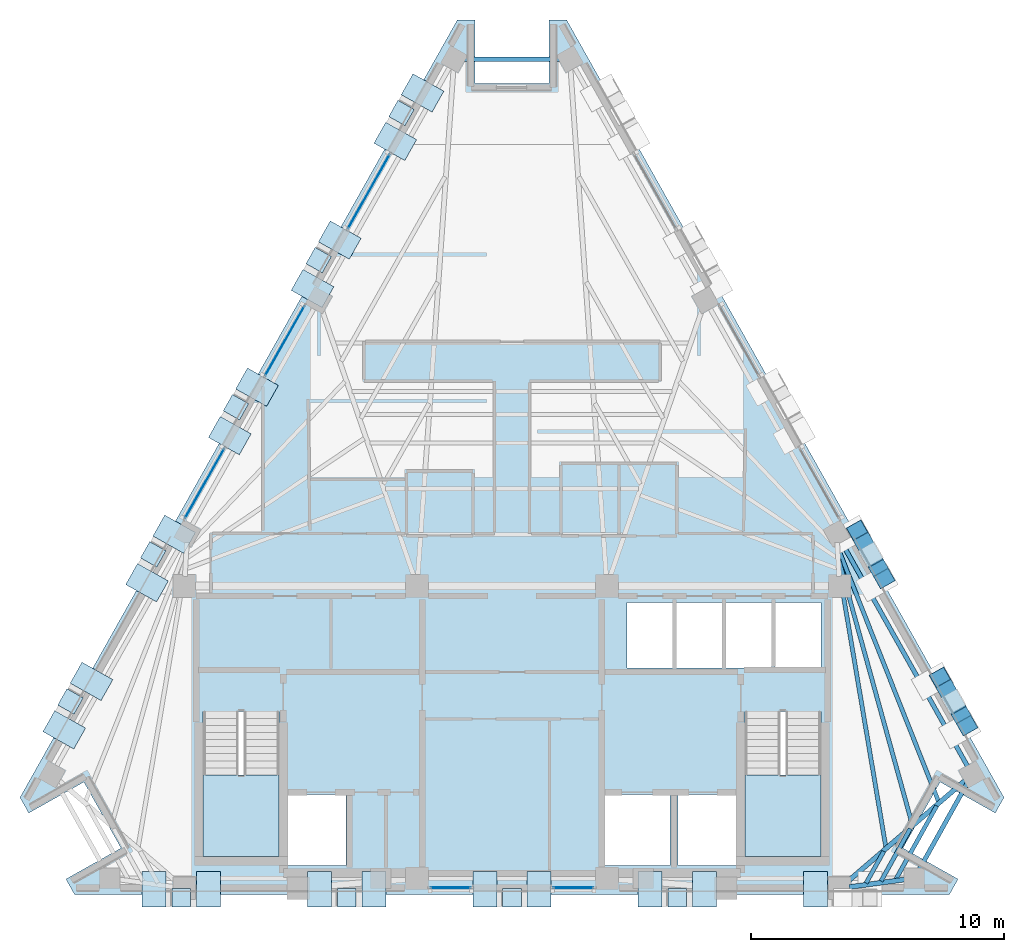
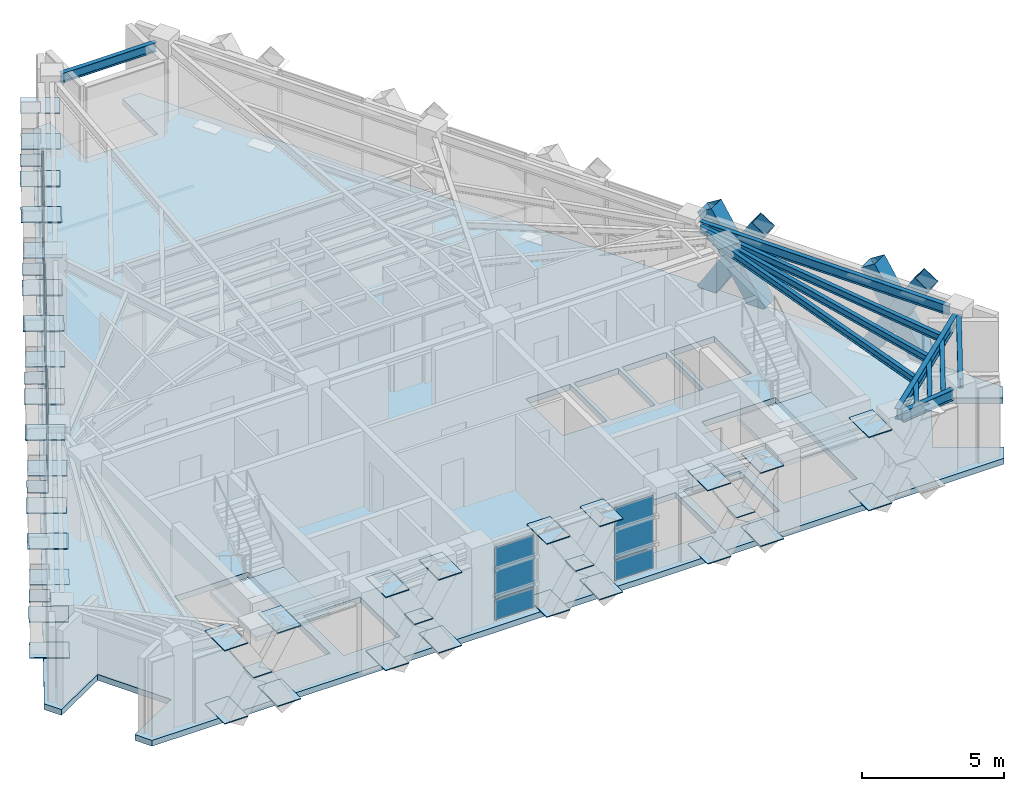
# One storey, part 5 of 11: 57 plates, 11 beams, 6 members, 3 slabs, 7 elements without a shape of their own.
"""IFC4 building model written with IfcOpenShell, lengths in metres."""

from ifc_helpers import new_model, si_unit, direction, frame, origin, origin_2d, place, context, subcontext, project, spatial, polyline, rectangle, hollow_rectangle, i_section, outline, extrude, material, layer, layer_set, material_profile, profile_set, type_object, element, aggregate, save


model = new_model("IFC4")

# Units and contexts
model_context = context("Model", 3, precision=1e-05, world=origin(), true_north=direction((0.0, 1.0)))
body_context = subcontext(model_context, "Body", "Model", "MODEL_VIEW")
ifc_project = project(units=[si_unit("LENGTHUNIT", "METRE"), si_unit("AREAUNIT", "SQUARE_METRE"), si_unit("VOLUMEUNIT", "CUBIC_METRE"), si_unit("PLANEANGLEUNIT", "RADIAN"), si_unit("MASSUNIT", "GRAM", prefix="KILO")], contexts=[model_context])

# Site, building, storey
site_placement = place(None, origin())
site = spatial("IfcSite", under=ifc_project, at=site_placement, CompositionType="ELEMENT")
building_placement = place(site_placement, origin())
building = spatial("IfcBuilding", under=site, at=building_placement, Name="Quenlor Broadcast Tower", CompositionType="ELEMENT")
storey_placement = place(building_placement, frame((0.0, 0.0, 253.39990234375)))
storey = spatial("IfcBuildingStorey", under=building, at=storey_placement, Name="L70", CompositionType="ELEMENT", Elevation=253.39990234375)

# Members
ifc_material_1 = material(Name="Steel S355", Category="steel")
ifc_material_profile_1 = material_profile(ifc_material_1, hollow_rectangle(XDim=0.679931640625, YDim=0.679931640625, WallThickness=0.02001953125, at=origin_2d()))
ifc_profile_set_1 = profile_set([ifc_material_profile_1], Name="Steel S355 RHS680x680x20")
member_type = type_object("IfcMemberType", Name="Perimeter Diagonal Lattice Brace Z5-Crown Steel S355 RHS680x20", PredefinedType="BRACE", material=ifc_profile_set_1)
member_1_placement = place(storey_placement, frame((13.635986328125, -2.5966796875, -0.119873046875), z_axis=(0.260563732169, -0.463283497491, 0.847038926161), x_axis=(0.871602253711, 0.49021374045, 0.0)))
element("IfcMember", 1, at=member_1_placement, inside=storey, type_object=member_type, Name="L70 Perimeter Diamond Lattice NE-C4XA", PredefinedType="BRACE", context=body_context, shape_type="SweptSolid", body=[
    extrude(hollow_rectangle(XDim=0.679931640625, YDim=0.679931640625, WallThickness=0.02001953125, at=origin_2d()), origin(), (0.0, 0.0, 1.0), 4.132080078125),
])
member_2_placement = place(storey_placement, frame((14.712646484375, -4.510986328125, -0.119873046875), z_axis=(-0.260577404715, 0.463203900539, 0.847078250622), x_axis=(-0.871555267041, -0.490297273593, 0.0)))
element("IfcMember", 2, at=member_2_placement, inside=storey, type_object=member_type, Name="L70 Perimeter Diamond Lattice NE-C4XB1", PredefinedType="BRACE", context=body_context, shape_type="SweptSolid", body=[
    extrude(hollow_rectangle(XDim=0.679931640625, YDim=0.679931640625, WallThickness=0.02001953125, at=origin_2d()), origin(), (0.0, 0.0, 1.0), 1.815673828125),
])
member_3_placement = place(storey_placement, frame((14.109130859375, -3.43798828125, 1.841796875), z_axis=(-0.260531504538, 0.463256741299, 0.847063472701), x_axis=(-0.871616063886, -0.490189185087, 0.0)))
element("IfcMember", 3, at=member_3_placement, inside=storey, type_object=member_type, Name="L70 Perimeter Diamond Lattice NE-C4XB2", PredefinedType="BRACE", context=body_context, shape_type="SweptSolid", body=[
    extrude(hollow_rectangle(XDim=0.679931640625, YDim=0.679931640625, WallThickness=0.02001953125, at=origin_2d()), origin(), (0.0, 0.0, 1.0), 1.816162109375),
])
member_4_placement = place(storey_placement, frame((16.905517578125, -8.40966796875, -0.119873046875), z_axis=(0.260618804175, -0.463276364439, 0.847025884529), x_axis=(0.8715547569, 0.490298180422, 0.0)))
element("IfcMember", 4, at=member_4_placement, inside=storey, type_object=member_type, Name="L70 Perimeter Diamond Lattice NE-C5XA", PredefinedType="BRACE", context=body_context, shape_type="SweptSolid", body=[
    extrude(hollow_rectangle(XDim=0.679931640625, YDim=0.679931640625, WallThickness=0.02001953125, at=origin_2d()), origin(), (0.0, 0.0, 1.0), 4.132080078125),
])
member_5_placement = place(storey_placement, frame((17.982421875, -10.323974609375, -0.119873046875), z_axis=(-0.26068648878, 0.463293264743, 0.846995811921), x_axis=(-0.871507987664, -0.490381308207, 0.0)))
element("IfcMember", 5, at=member_5_placement, inside=storey, type_object=member_type, Name="L70 Perimeter Diamond Lattice NE-C5XB1", PredefinedType="BRACE", context=body_context, shape_type="SweptSolid", body=[
    extrude(hollow_rectangle(XDim=0.679931640625, YDim=0.679931640625, WallThickness=0.02001953125, at=origin_2d()), origin(), (0.0, 0.0, 1.0), 1.81591796875),
])
member_6_placement = place(storey_placement, frame((17.37890625, -9.2509765625, 1.841796875), z_axis=(-0.260656806259, 0.463240512825, 0.847033798988), x_axis=(-0.871507987664, -0.490381308207, 0.0)))
element("IfcMember", 6, at=member_6_placement, inside=storey, type_object=member_type, Name="L70 Perimeter Diamond Lattice NE-C5XB2", PredefinedType="BRACE", context=body_context, shape_type="SweptSolid", body=[
    extrude(hollow_rectangle(XDim=0.679931640625, YDim=0.679931640625, WallThickness=0.02001953125, at=origin_2d()), origin(), (0.0, 0.0, 1.0), 1.816162109375),
])

# Beams
ifc_material_2 = material(Name="Steel S355", Category="steel")
ifc_material_profile_2 = material_profile(ifc_material_2, i_section(OverallWidth=0.177978515625, OverallDepth=0.406494140625, WebThickness=0.0078125, FlangeThickness=0.0126953125, FilletRadius=0.011474609375, at=origin_2d()))
ifc_profile_set_2 = profile_set([ifc_material_profile_2], Name="Steel S355 410UB59.7")
beam_type_1 = type_object("IfcBeamType", Name="Perimeter Spandrel Beam Z5 Steel S355 410UB59.7", PredefinedType="SPANDREL", material=ifc_profile_set_2)
beam_1_placement = place(storey_placement, frame((16.07275390625, -16.035400390625, 3.046875), z_axis=(0.486800618374, 0.873513112638, 0.0), x_axis=(-0.873513112638, 0.486800618374, 0.0)))
element("IfcBeam", 7, at=beam_1_placement, inside=storey, type_object=beam_type_1, Name="L70 Spandrel Beam S4-NE1", PredefinedType="SPANDREL", context=body_context, shape_type="SweptSolid", body=[
    extrude(i_section(OverallWidth=0.177978515625, OverallDepth=0.406494140625, WebThickness=0.0078125, FlangeThickness=0.0126953125, FilletRadius=0.011474609375, at=origin_2d()), origin(), (0.0, 0.0, 1.0), 3.9736328125),
])
beam_2_placement = place(storey_placement, frame((18.005859375, -11.93603515625, 3.046875), z_axis=(-0.490274867878, 0.871567871096, 0.0), x_axis=(-0.871567871096, -0.490274867878, 0.0)))
element("IfcBeam", 8, at=beam_2_placement, inside=storey, type_object=beam_type_1, Name="L70 Spandrel Beam NE1-NE2", PredefinedType="SPANDREL", context=body_context, shape_type="SweptSolid", body=[
    extrude(i_section(OverallWidth=0.177978515625, OverallDepth=0.406494140625, WebThickness=0.0078125, FlangeThickness=0.0126953125, FilletRadius=0.011474609375, at=origin_2d()), origin(), (0.0, 0.0, 1.0), 10.206298828125),
])
beam_3_placement = place(storey_placement, frame((1.9248046875, 16.012451171875, 3.046875), z_axis=(-1.0, 0.0, 0.0), x_axis=(0.0, -1.0, 0.0)))
element("IfcBeam", 9, at=beam_3_placement, inside=storey, type_object=beam_type_1, Name="L70 Spandrel Beam NE4-NW1", PredefinedType="SPANDREL", context=body_context, shape_type="SweptSolid", body=[
    extrude(i_section(OverallWidth=0.177978515625, OverallDepth=0.406494140625, WebThickness=0.0078125, FlangeThickness=0.0126953125, FilletRadius=0.011474609375, at=origin_2d()), origin(), (0.0, 0.0, 1.0), 3.849609375),
])
ifc_material_3 = material(Name="Steel S355", Category="steel")
ifc_material_profile_3 = material_profile(ifc_material_3, i_section(OverallWidth=0.166015625, OverallDepth=0.30712890625, WebThickness=0.006591796875, FlangeThickness=0.01171875, FilletRadius=0.011474609375, at=origin_2d()))
ifc_profile_set_3 = profile_set([ifc_material_profile_3], Name="Steel S355 310UB46.2")
beam_type_2 = type_object("IfcBeamType", Name="Tower Composite Joist Z4-Z5 Steel S355 310UB46.2", PredefinedType="JOIST", material=ifc_profile_set_3)
beam_4_placement = place(storey_placement, frame((14.76806640625, -15.09619140625, 3.096435546875), z_axis=(-0.166553293246, 0.986032454085, 0.0), x_axis=(-0.986032454085, -0.166553293246, 0.0)))
element("IfcBeam", 10, at=beam_4_placement, inside=storey, type_object=beam_type_2, Name="L70 Secondary Composite Joist 16", PredefinedType="JOIST", context=body_context, shape_type="SweptSolid", body=[
    extrude(i_section(OverallWidth=0.166015625, OverallDepth=0.30712890625, WebThickness=0.006591796875, FlangeThickness=0.01171875, FilletRadius=0.011474609375, at=origin_2d()), origin(), (0.0, 0.0, 1.0), 11.097900390625),
])
beam_5_placement = place(storey_placement, frame((15.806396484375, -14.197998046875, 3.096435546875), z_axis=(-0.26744552871, 0.96357298072, 0.0), x_axis=(-0.96357298072, -0.26744552871, 0.0)))
element("IfcBeam", 11, at=beam_5_placement, inside=storey, type_object=beam_type_2, Name="L70 Secondary Composite Joist 17", PredefinedType="JOIST", context=body_context, shape_type="SweptSolid", body=[
    extrude(i_section(OverallWidth=0.166015625, OverallDepth=0.30712890625, WebThickness=0.006591796875, FlangeThickness=0.01171875, FilletRadius=0.011474609375, at=origin_2d()), origin(), (0.0, 0.0, 1.0), 10.856689453125),
])
beam_6_placement = place(storey_placement, frame((16.8447265625, -13.300537109375, 3.096435546875), z_axis=(-0.368680258049, 0.929556274426, 0.0), x_axis=(-0.929556274426, -0.368680258049, 0.0)))
element("IfcBeam", 12, at=beam_6_placement, inside=storey, type_object=beam_type_2, Name="L70 Secondary Composite Joist 18", PredefinedType="JOIST", context=body_context, shape_type="SweptSolid", body=[
    extrude(i_section(OverallWidth=0.166015625, OverallDepth=0.30712890625, WebThickness=0.006591796875, FlangeThickness=0.01171875, FilletRadius=0.011474609375, at=origin_2d()), origin(), (0.0, 0.0, 1.0), 10.737548828125),
])
beam_7_placement = place(storey_placement, frame((13.9912109375, -16.544189453125, 3.096435546875), z_axis=(0.486624304452, 0.873611347406, 0.0), x_axis=(-0.873611347406, 0.486624304452, 0.0)))
element("IfcBeam", 13, at=beam_7_placement, inside=storey, type_object=beam_type_2, Name="L70 Secondary Composite Joist 22", PredefinedType="JOIST", context=body_context, shape_type="SweptSolid", body=[
    extrude(i_section(OverallWidth=0.166015625, OverallDepth=0.30712890625, WebThickness=0.006591796875, FlangeThickness=0.01171875, FilletRadius=0.011474609375, at=origin_2d()), origin(), (0.0, 0.0, 1.0), 1.435791015625),
])
beam_8_placement = place(storey_placement, frame((14.58056640625, -16.464111328125, 3.096435546875), z_axis=(0.486820963037, 0.873501774439, 0.0), x_axis=(-0.873501774439, 0.486820963037, 0.0)))
element("IfcBeam", 14, at=beam_8_placement, inside=storey, type_object=beam_type_2, Name="L70 Secondary Composite Joist 23", PredefinedType="JOIST", context=body_context, shape_type="SweptSolid", body=[
    extrude(i_section(OverallWidth=0.166015625, OverallDepth=0.30712890625, WebThickness=0.006591796875, FlangeThickness=0.01171875, FilletRadius=0.011474609375, at=origin_2d()), origin(), (0.0, 0.0, 1.0), 2.37451171875),
])
beam_9_placement = place(storey_placement, frame((15.170166015625, -16.384033203125, 3.096435546875), z_axis=(0.486762404011, 0.873534408046, 0.0), x_axis=(-0.873534408046, 0.486762404011, 0.0)))
element("IfcBeam", 15, at=beam_9_placement, inside=storey, type_object=beam_type_2, Name="L70 Secondary Composite Joist 24", PredefinedType="JOIST", context=body_context, shape_type="SweptSolid", body=[
    extrude(i_section(OverallWidth=0.166015625, OverallDepth=0.30712890625, WebThickness=0.006591796875, FlangeThickness=0.01171875, FilletRadius=0.011474609375, at=origin_2d()), origin(), (0.0, 0.0, 1.0), 3.313232421875),
])
ifc_material_4 = material(Name="Steel S355", Category="steel")
ifc_material_profile_4 = material_profile(ifc_material_4, i_section(OverallWidth=0.19091796875, OverallDepth=0.46044921875, WebThickness=0.010009765625, FlangeThickness=0.01611328125, FilletRadius=0.011474609375, at=origin_2d()))
ifc_profile_set_4 = profile_set([ifc_material_profile_4], Name="Steel S355 460UB82.1")
beam_type_3 = type_object("IfcBeamType", Name="Tower Primary Floor Beam Z5 Steel S355 460UB82.1", PredefinedType="BEAM", material=ifc_profile_set_4)
beam_10_placement = place(storey_placement, frame((15.541015625, -16.3984375, 3.02001953125), z_axis=(-0.990917044125, -0.134474576267, 0.0), x_axis=(0.134474576267, -0.990917044125, 0.0)))
element("IfcBeam", 16, at=beam_10_placement, inside=storey, type_object=beam_type_3, Name="L70 Primary Radial Beam S4", PredefinedType="BEAM", context=body_context, shape_type="SweptSolid", body=[
    extrude(i_section(OverallWidth=0.19091796875, OverallDepth=0.46044921875, WebThickness=0.010009765625, FlangeThickness=0.01611328125, FilletRadius=0.011474609375, at=origin_2d()), origin(), (0.0, 0.0, 1.0), 2.23486328125),
])
beam_11_placement = place(storey_placement, frame((17.909423828125, -12.484619140625, 3.02001953125), z_axis=(-0.75817030855, -0.652056579779, 0.0), x_axis=(0.652056579779, -0.75817030855, 0.0)))
element("IfcBeam", 17, at=beam_11_placement, inside=storey, type_object=beam_type_3, Name="L70 Primary Radial Beam NE1", PredefinedType="BEAM", context=body_context, shape_type="SweptSolid", body=[
    extrude(i_section(OverallWidth=0.19091796875, OverallDepth=0.46044921875, WebThickness=0.010009765625, FlangeThickness=0.01611328125, FilletRadius=0.011474609375, at=origin_2d()), origin(), (0.0, 0.0, 1.0), 6.161376953125),
])

# Curtain wall, plates
ifc_material_5 = material(Name="Architectural Terracotta and Low-E Glazing", Category="masonry")
curtain_wall_type = type_object("IfcCurtainWallType", Name="Unitised Terracotta Curtain Wall System Z5", PredefinedType="NOTDEFINED", material=ifc_material_5)
curtain_wall_1_placement = place(storey_placement, origin())
curtain_wall_1 = element("IfcCurtainWall", 18, at=curtain_wall_1_placement, inside=storey, type_object=curtain_wall_type, Name="L70 Curtain Wall CW5 (L70-S-G1)", PredefinedType="NOTDEFINED")
ifc_material_6 = material(Name="Double Glazed Low-E Solar Glass", Category="glass")
ifc_layer_1 = layer(ifc_material_6, 0.02587890625)
ifc_layer_set_1 = layer_set([ifc_layer_1], Name="CW5 Double Glazed Vision Panel 26")
plate_type_1 = type_object("IfcPlateType", Name="CW5 Double Glazed Vision Panel 26", PredefinedType="CURTAIN_PANEL", material=ifc_layer_set_1)
plate_1_placement = place(storey_placement, frame((2.42578125, -16.72509765625, 0.065185546875), z_axis=(0.0, 0.0, 1.0), x_axis=(-1.0, 0.0, 0.0)))
plate_1 = element("IfcPlate", 19, at=plate_1_placement, type_object=plate_type_1, Name="CW5 panel 1.1", PredefinedType="CURTAIN_PANEL", context=body_context, shape_type="SweptSolid", body=[
    extrude(rectangle(XDim=1.578369140625, YDim=0.02587890625, at=origin_2d()), origin(), (0.0, 0.0, 1.0), 0.8525390625),
])
plate_2_placement = place(storey_placement, frame((2.42578125, -16.72509765625, 0.982421875), z_axis=(0.0, 0.0, 1.0), x_axis=(-1.0, 0.0, 0.0)))
plate_2 = element("IfcPlate", 20, at=plate_2_placement, type_object=plate_type_1, Name="CW5 panel 1.2", PredefinedType="CURTAIN_PANEL", context=body_context, shape_type="SweptSolid", body=[
    extrude(rectangle(XDim=1.578369140625, YDim=0.02587890625, at=origin_2d()), origin(), (0.0, 0.0, 1.0), 2.202392578125),
])
aggregate(curtain_wall_1, [plate_1, plate_2])

curtain_wall_2_placement = place(storey_placement, origin())
curtain_wall_2 = element("IfcCurtainWall", 21, at=curtain_wall_2_placement, inside=storey, type_object=curtain_wall_type, Name="L70 Curtain Wall CW5 (L70-S-G2)", PredefinedType="NOTDEFINED")
plate_3_placement = place(storey_placement, frame((-2.42578125, -16.72509765625, 0.065185546875), z_axis=(0.0, 0.0, 1.0), x_axis=(-1.0, 0.0, 0.0)))
plate_3 = element("IfcPlate", 22, at=plate_3_placement, type_object=plate_type_1, Name="CW5 panel 1.1", PredefinedType="CURTAIN_PANEL", context=body_context, shape_type="SweptSolid", body=[
    extrude(rectangle(XDim=1.578369140625, YDim=0.02587890625, at=origin_2d()), origin(), (0.0, 0.0, 1.0), 0.8525390625),
])
plate_4_placement = place(storey_placement, frame((-2.42578125, -16.72509765625, 0.982421875), z_axis=(0.0, 0.0, 1.0), x_axis=(-1.0, 0.0, 0.0)))
plate_4 = element("IfcPlate", 23, at=plate_4_placement, type_object=plate_type_1, Name="CW5 panel 1.2", PredefinedType="CURTAIN_PANEL", context=body_context, shape_type="SweptSolid", body=[
    extrude(rectangle(XDim=1.578369140625, YDim=0.02587890625, at=origin_2d()), origin(), (0.0, 0.0, 1.0), 2.202392578125),
])
aggregate(curtain_wall_2, [plate_3, plate_4])

curtain_wall_3_placement = place(storey_placement, origin())
curtain_wall_3 = element("IfcCurtainWall", 24, at=curtain_wall_3_placement, inside=storey, type_object=curtain_wall_type, Name="L70 Curtain Wall CW5 (L70-NWC-G1)", PredefinedType="NOTDEFINED")
plate_5_placement = place(storey_placement, frame((-5.65576171875, 10.784423828125, 0.065185546875), z_axis=(0.0, 0.0, 1.0), x_axis=(0.490250335582, 0.871581670563, 0.0)))
plate_5 = element("IfcPlate", 25, at=plate_5_placement, type_object=plate_type_1, Name="CW5 panel 1.1", PredefinedType="CURTAIN_PANEL", context=body_context, shape_type="SweptSolid", body=[
    extrude(rectangle(XDim=3.353271484375, YDim=0.02587890625, at=origin_2d()), origin(), (0.0, 0.0, 1.0), 0.8525390625),
])
plate_6_placement = place(storey_placement, frame((-5.65576171875, 10.784423828125, 0.982421875), z_axis=(0.0, 0.0, 1.0), x_axis=(0.490250335582, 0.871581670563, 0.0)))
plate_6 = element("IfcPlate", 26, at=plate_6_placement, type_object=plate_type_1, Name="CW5 panel 1.2", PredefinedType="CURTAIN_PANEL", context=body_context, shape_type="SweptSolid", body=[
    extrude(rectangle(XDim=3.353271484375, YDim=0.02587890625, at=origin_2d()), origin(), (0.0, 0.0, 1.0), 2.202392578125),
])
aggregate(curtain_wall_3, [plate_5, plate_6])

curtain_wall_4_placement = place(storey_placement, origin())
curtain_wall_4 = element("IfcCurtainWall", 27, at=curtain_wall_4_placement, inside=storey, type_object=curtain_wall_type, Name="L70 Curtain Wall CW5 (L70-NW-G1)", PredefinedType="NOTDEFINED")
plate_7_placement = place(storey_placement, frame((-12.143798828125, -0.75, 0.065185546875), z_axis=(0.0, 0.0, 1.0), x_axis=(0.490262689797, 0.871574721405, 0.0)))
plate_7 = element("IfcPlate", 28, at=plate_7_placement, type_object=plate_type_1, Name="CW5 panel 1.1", PredefinedType="CURTAIN_PANEL", context=body_context, shape_type="SweptSolid", body=[
    extrude(rectangle(XDim=3.14404296875, YDim=0.02587890625, at=origin_2d()), origin(), (0.0, 0.0, 1.0), 0.8525390625),
])
plate_8_placement = place(storey_placement, frame((-12.143798828125, -0.75, 0.982421875), z_axis=(0.0, 0.0, 1.0), x_axis=(0.490262689797, 0.871574721405, 0.0)))
plate_8 = element("IfcPlate", 29, at=plate_8_placement, type_object=plate_type_1, Name="CW5 panel 1.2", PredefinedType="CURTAIN_PANEL", context=body_context, shape_type="SweptSolid", body=[
    extrude(rectangle(XDim=3.14404296875, YDim=0.02587890625, at=origin_2d()), origin(), (0.0, 0.0, 1.0), 2.202392578125),
])
aggregate(curtain_wall_4, [plate_7, plate_8])

curtain_wall_5_placement = place(storey_placement, origin())
curtain_wall_5 = element("IfcCurtainWall", 30, at=curtain_wall_5_placement, inside=storey, type_object=curtain_wall_type, Name="L70 Curtain Wall CW5 (L70-NW-G2)", PredefinedType="NOTDEFINED")
plate_9_placement = place(storey_placement, frame((-8.976806640625, 4.88037109375, 0.065185546875), z_axis=(0.0, 0.0, 1.0), x_axis=(0.490262689797, 0.871574721405, 0.0)))
plate_9 = element("IfcPlate", 31, at=plate_9_placement, type_object=plate_type_1, Name="CW5 panel 1.1", PredefinedType="CURTAIN_PANEL", context=body_context, shape_type="SweptSolid", body=[
    extrude(rectangle(XDim=3.14404296875, YDim=0.02587890625, at=origin_2d()), origin(), (0.0, 0.0, 1.0), 0.8525390625),
])
plate_10_placement = place(storey_placement, frame((-8.976806640625, 4.88037109375, 0.982421875), z_axis=(0.0, 0.0, 1.0), x_axis=(0.490262689797, 0.871574721405, 0.0)))
plate_10 = element("IfcPlate", 32, at=plate_10_placement, type_object=plate_type_1, Name="CW5 panel 1.2", PredefinedType="CURTAIN_PANEL", context=body_context, shape_type="SweptSolid", body=[
    extrude(rectangle(XDim=3.14404296875, YDim=0.02587890625, at=origin_2d()), origin(), (0.0, 0.0, 1.0), 2.202392578125),
])
aggregate(curtain_wall_5, [plate_9, plate_10])

# Plates
ifc_material_7 = material(Name="Steel S355", Category="steel")
ifc_layer_2 = layer(ifc_material_7, 0.028076171875)
ifc_layer_set_2 = layer_set([ifc_layer_2], Name="Perimeter Lattice Node Steel S355 Cap Plate 740x740x28")
plate_type_2 = type_object("IfcPlateType", Name="Perimeter Lattice Node Steel S355 Cap Plate 740x740x28", PredefinedType="USERDEFINED", material=ifc_layer_set_2)
for number, where, z_axis, x_axis, name in (
    (33, (6.531982421875, -17.1201171875, 1.6162109375), (0.0, 0.0, 1.0), (-1.0, 0.0, 0.0), "L70 Diamond Lattice Crossing Node S-C2"),
    (34, (0.0, -17.1201171875, 1.6162109375), (0.0, 0.0, 1.0), (-1.0, 0.0, 0.0), "L70 Diamond Lattice Crossing Node S-C3"),
    (35, (-6.531982421875, -17.1201171875, 1.6162109375), (0.0, 0.0, 1.0), (-1.0, 0.0, 0.0), "L70 Diamond Lattice Crossing Node S-C4"),
    (36, (-13.06396484375, -17.1201171875, 1.6162109375), (0.0, 0.0, 1.0), (-1.0, 0.0, 0.0), "L70 Diamond Lattice Crossing Node S-C5"),
    (37, (-17.444091796875, -9.36669921875, 1.6162109375), (0.0, 0.0, 1.0), (0.490295412055, 0.871556314255, 0.0), "L70 Diamond Lattice Crossing Node NW-C1"),
    (38, (-14.17431640625, -3.553955078125, 1.6162109375), (0.0, 0.0, 1.0), (0.490295412055, 0.871556314255, 0.0), "L70 Diamond Lattice Crossing Node NW-C2"),
    (39, (-10.904541015625, 2.2587890625, 1.6162109375), (0.0, 0.0, 1.0), (0.490295412055, 0.871556314255, 0.0), "L70 Diamond Lattice Crossing Node NW-C3"),
    (40, (-7.635009765625, 8.071533203125, 1.6162109375), (0.0, 0.0, 1.0), (0.490295412055, 0.871556314255, 0.0), "L70 Diamond Lattice Crossing Node NW-C4"),
    (41, (-4.365234375, 13.884521484375, 1.6162109375), (0.0, 0.0, 1.0), (0.490295412055, 0.871556314255, 0.0), "L70 Diamond Lattice Crossing Node NW-C5"),
):
    element("IfcPlate", number, at=place(storey_placement, frame(where, z_axis=z_axis, x_axis=x_axis)), inside=storey, type_object=plate_type_2, Name=name, ObjectType="CAP PLATE", PredefinedType="USERDEFINED", context=body_context, shape_type="SweptSolid", body=[
        extrude(rectangle(XDim=0.739990234375, YDim=0.739990234375, at=origin_2d()), origin(), (0.0, 0.0, 1.0), 0.028076171875),
    ])

# Stair, slab
ifc_material_8 = material(Name="Precast concrete C40/50", Category="concrete")
stair_type = type_object("IfcStairType", Name="Precast Concrete C40/50 Dogleg Stair H350", PredefinedType="HALF_TURN_STAIR", material=ifc_material_8)
stair_1_placement = place(storey_placement, origin())
stair_1 = element("IfcStair", 42, at=stair_1_placement, inside=storey, type_object=stair_type, Name="L70 West Core Fire-Isolated Exit Stair ST-1", PredefinedType="HALF_TURN_STAIR")
ifc_material_9 = material(Name="Precast concrete C40/50", Category="concrete")
ifc_layer_3 = layer(ifc_material_9, 0.199951171875)
ifc_layer_set_3 = layer_set([ifc_layer_3], Name="Precast Concrete C40/50 Stair Landing Slab 200")
slab_type_1 = type_object("IfcSlabType", Name="Precast Concrete C40/50 Stair Landing Slab 200", PredefinedType="LANDING", material=ifc_layer_set_3)
slab_1_placement = place(storey_placement, frame((0.0, 0.0, 1.550048828125)))
slab_1 = element("IfcSlab", 43, at=slab_1_placement, type_object=slab_type_1, Name="ST-1 landing 1", PredefinedType="LANDING", context=body_context, shape_type="SweptSolid", body=[
    extrude(outline(polyline([(-12.199951171875, -12.27001953125), (-12.199951171875, -15.5), (-9.199951171875, -15.5), (-9.199951171875, -12.27001953125), (-12.199951171875, -12.27001953125)])), origin(), (0.0, 0.0, 1.0), 0.199951171875),
])
aggregate(stair_1, [slab_1])

stair_2_placement = place(storey_placement, origin())
stair_2 = element("IfcStair", 44, at=stair_2_placement, inside=storey, type_object=stair_type, Name="L70 East Core Fire-Isolated Exit Stair ST-2", PredefinedType="HALF_TURN_STAIR")
slab_2_placement = place(storey_placement, frame((0.0, 0.0, 1.550048828125)))
slab_2 = element("IfcSlab", 45, at=slab_2_placement, type_object=slab_type_1, Name="ST-2 landing 1", PredefinedType="LANDING", context=body_context, shape_type="SweptSolid", body=[
    extrude(outline(polyline([(9.199951171875, -12.27001953125), (9.199951171875, -15.5), (12.199951171875, -15.5), (12.199951171875, -12.27001953125), (9.199951171875, -12.27001953125)])), origin(), (0.0, 0.0, 1.0), 0.199951171875),
])
aggregate(stair_2, [slab_2])

# Slab
ifc_material_10 = material(Name="Concrete C40/50", Category="concrete")
ifc_layer_4 = layer(ifc_material_10, 0.25)
ifc_layer_set_4 = layer_set([ifc_layer_4], Name="Tower Composite Concrete C40/50 Slab 250")
slab_type_2 = type_object("IfcSlabType", Name="Tower Composite Concrete C40/50 Slab 250", PredefinedType="FLOOR", material=ifc_layer_set_4)
slab_3_placement = place(storey_placement, frame((0.0, 0.0, -0.25)))
element("IfcSlab", 46, at=slab_3_placement, inside=storey, type_object=slab_type_2, Name="L70 Structural Floor Slab", PredefinedType="FLOOR", context=body_context, shape_type="SweptSolid", body=[
    extrude(outline(polyline([(17.280029296875, -17.0), (17.62548828125, -16.385498046875), (15.44677734375, -15.159912109375), (16.91552734375, -12.548583984375), (19.094482421875, -13.7744140625), (19.43994140625, -13.159912109375), (2.159912109375, 17.56005859375), (1.46875, 17.56005859375), (1.46875, 15.06005859375), (-1.46875, 15.06005859375), (-1.46875, 17.56005859375), (-2.159912109375, 17.56005859375), (-19.43994140625, -13.159912109375), (-19.094482421875, -13.7744140625), (-16.91552734375, -12.548583984375), (-15.44677734375, -15.159912109375), (-17.62548828125, -16.385498046875), (-17.280029296875, -17.0), (17.280029296875, -17.0)]), holes=[polyline([(-12.199951171875, -9.758056640625), (-12.199951171875, -15.5), (-9.199951171875, -15.5), (-9.199951171875, -9.758056640625), (-12.199951171875, -9.758056640625)]), polyline([(9.199951171875, -9.758056640625), (9.199951171875, -15.5), (12.199951171875, -15.5), (12.199951171875, -9.758056640625), (9.199951171875, -9.758056640625)]), polyline([(4.550048828125, -8.050048828125), (6.35009765625, -8.050048828125), (6.35009765625, -5.449951171875), (4.550048828125, -5.449951171875), (4.550048828125, -8.050048828125)]), polyline([(6.5, -8.050048828125), (8.300048828125, -8.050048828125), (8.300048828125, -5.449951171875), (6.5, -5.449951171875), (6.5, -8.050048828125)]), polyline([(8.449951171875, -8.050048828125), (10.25, -8.050048828125), (10.25, -5.449951171875), (8.449951171875, -5.449951171875), (8.449951171875, -8.050048828125)]), polyline([(10.39990234375, -8.050048828125), (12.199951171875, -8.050048828125), (12.199951171875, -5.449951171875), (10.39990234375, -5.449951171875), (10.39990234375, -8.050048828125)]), polyline([(-8.85009765625, -15.85009765625), (-6.550048828125, -15.85009765625), (-6.550048828125, -13.050048828125), (-8.85009765625, -13.050048828125), (-8.85009765625, -15.85009765625)]), polyline([(6.550048828125, -15.85009765625), (8.85009765625, -15.85009765625), (8.85009765625, -13.050048828125), (6.550048828125, -13.050048828125), (6.550048828125, -15.85009765625)]), polyline([(3.64990234375, -15.85009765625), (6.25, -15.85009765625), (6.25, -13.050048828125), (3.64990234375, -13.050048828125), (3.64990234375, -15.85009765625)])]), origin(), (0.0, 0.0, 1.0), 0.25),
])

# Plates
ifc_material_11 = material(Name="Steel S355", Category="steel")
ifc_layer_5 = layer(ifc_material_11, 0.035888671875)
ifc_layer_set_5 = layer_set([ifc_layer_5], Name="Transfer Truss Steel S355 Gusset Node Plate 1400x950x36")
plate_type_3 = type_object("IfcPlateType", Name="Transfer Truss Steel S355 Gusset Node Plate 1400x950x36", PredefinedType="SHEET", material=ifc_layer_set_5)
for number, where, z_axis, x_axis, name in (
    (47, (11.98828125, -16.784912109375, 3.18212890625), (0.0, 0.0, 1.0), (0.0, -1.0, 0.0), "L70 Lattice Tie Gusset Node S-T2"),
    (48, (11.98828125, -16.784912109375, 0.0419921875), (0.0, 0.0, 1.0), (0.0, -1.0, 0.0), "L70 Lattice Tie Gusset Node S-B2"),
    (49, (7.607666015625, -16.784912109375, 0.0419921875), (0.0, 0.0, 1.0), (0.0, -1.0, 0.0), "L70 Lattice Tie Gusset Node S-B4"),
    (50, (5.456298828125, -16.784912109375, 3.18212890625), (0.0, 0.0, 1.0), (0.0, -1.0, 0.0), "L70 Lattice Tie Gusset Node S-T5"),
    (51, (5.456298828125, -16.784912109375, 0.0419921875), (0.0, 0.0, 1.0), (0.0, -1.0, 0.0), "L70 Lattice Tie Gusset Node S-B5"),
    (52, (7.607666015625, -16.784912109375, 3.18212890625), (0.0, 0.0, 1.0), (0.0, -1.0, 0.0), "L70 Lattice Tie Gusset Node S-T4"),
    (53, (1.07568359375, -16.784912109375, 0.0419921875), (0.0, 0.0, 1.0), (0.0, -1.0, 0.0), "L70 Lattice Tie Gusset Node S-B7"),
    (54, (-1.07568359375, -16.784912109375, 3.18212890625), (0.0, 0.0, 1.0), (0.0, -1.0, 0.0), "L70 Lattice Tie Gusset Node S-T8"),
    (55, (-1.07568359375, -16.784912109375, 0.0419921875), (0.0, 0.0, 1.0), (0.0, -1.0, 0.0), "L70 Lattice Tie Gusset Node S-B8"),
    (56, (1.07568359375, -16.784912109375, 3.18212890625), (0.0, 0.0, 1.0), (0.0, -1.0, 0.0), "L70 Lattice Tie Gusset Node S-T7"),
    (57, (-5.456298828125, -16.784912109375, 0.0419921875), (0.0, 0.0, 1.0), (0.0, -1.0, 0.0), "L70 Lattice Tie Gusset Node S-B10"),
    (58, (-7.607666015625, -16.784912109375, 3.18212890625), (0.0, 0.0, 1.0), (0.0, -1.0, 0.0), "L70 Lattice Tie Gusset Node S-T11"),
    (59, (-7.607666015625, -16.784912109375, 0.0419921875), (0.0, 0.0, 1.0), (0.0, -1.0, 0.0), "L70 Lattice Tie Gusset Node S-B11"),
    (60, (-5.456298828125, -16.784912109375, 3.18212890625), (0.0, 0.0, 1.0), (0.0, -1.0, 0.0), "L70 Lattice Tie Gusset Node S-T10"),
    (61, (-11.98828125, -16.784912109375, 0.0419921875), (0.0, 0.0, 1.0), (0.0, -1.0, 0.0), "L70 Lattice Tie Gusset Node S-B13"),
    (62, (-14.1396484375, -16.784912109375, 3.18212890625), (0.0, 0.0, 1.0), (0.0, -1.0, 0.0), "L70 Lattice Tie Gusset Node S-T14"),
    (63, (-14.1396484375, -16.784912109375, 0.0419921875), (0.0, 0.0, 1.0), (0.0, -1.0, 0.0), "L70 Lattice Tie Gusset Node S-B14"),
    (64, (-11.98828125, -16.784912109375, 3.18212890625), (0.0, 0.0, 1.0), (0.0, -1.0, 0.0), "L70 Lattice Tie Gusset Node S-T13"),
    (65, (-17.6904296875, -10.48828125, 0.0419921875), (0.0, 0.0, 1.0), (-0.871556314255, 0.490295412055, 0.0), "L70 Lattice Tie Gusset Node NW-B1"),
    (66, (-16.613525390625, -8.57373046875, 3.18212890625), (0.0, 0.0, 1.0), (-0.871556314255, 0.490295412055, 0.0), "L70 Lattice Tie Gusset Node NW-T2"),
    (67, (-16.613525390625, -8.57373046875, 0.0419921875), (0.0, 0.0, 1.0), (-0.871556314255, 0.490295412055, 0.0), "L70 Lattice Tie Gusset Node NW-B2"),
    (68, (-17.6904296875, -10.48828125, 3.18212890625), (0.0, 0.0, 1.0), (-0.871556314255, 0.490295412055, 0.0), "L70 Lattice Tie Gusset Node NW-T1"),
    (69, (-14.420654296875, -4.67529296875, 0.0419921875), (0.0, 0.0, 1.0), (-0.871556314255, 0.490295412055, 0.0), "L70 Lattice Tie Gusset Node NW-B4"),
    (70, (-13.343994140625, -2.760986328125, 3.18212890625), (0.0, 0.0, 1.0), (-0.871556314255, 0.490295412055, 0.0), "L70 Lattice Tie Gusset Node NW-T5"),
    (71, (-13.343994140625, -2.760986328125, 0.0419921875), (0.0, 0.0, 1.0), (-0.871556314255, 0.490295412055, 0.0), "L70 Lattice Tie Gusset Node NW-B5"),
    (72, (-14.420654296875, -4.67529296875, 3.18212890625), (0.0, 0.0, 1.0), (-0.871556314255, 0.490295412055, 0.0), "L70 Lattice Tie Gusset Node NW-T4"),
    (73, (-11.15087890625, 1.137451171875, 0.0419921875), (0.0, 0.0, 1.0), (-0.871556314255, 0.490295412055, 0.0), "L70 Lattice Tie Gusset Node NW-B7"),
    (74, (-10.07421875, 3.0517578125, 3.18212890625), (0.0, 0.0, 1.0), (-0.871556314255, 0.490295412055, 0.0), "L70 Lattice Tie Gusset Node NW-T8"),
    (75, (-10.07421875, 3.0517578125, 0.0419921875), (0.0, 0.0, 1.0), (-0.871556314255, 0.490295412055, 0.0), "L70 Lattice Tie Gusset Node NW-B8"),
    (76, (-11.15087890625, 1.137451171875, 3.18212890625), (0.0, 0.0, 1.0), (-0.871556314255, 0.490295412055, 0.0), "L70 Lattice Tie Gusset Node NW-T7"),
    (77, (-7.88134765625, 6.9501953125, 0.0419921875), (0.0, 0.0, 1.0), (-0.871556314255, 0.490295412055, 0.0), "L70 Lattice Tie Gusset Node NW-B10"),
    (78, (-6.804443359375, 8.864501953125, 3.18212890625), (0.0, 0.0, 1.0), (-0.871556314255, 0.490295412055, 0.0), "L70 Lattice Tie Gusset Node NW-T11"),
    (79, (-6.804443359375, 8.864501953125, 0.0419921875), (0.0, 0.0, 1.0), (-0.871556314255, 0.490295412055, 0.0), "L70 Lattice Tie Gusset Node NW-B11"),
    (80, (-7.88134765625, 6.9501953125, 3.18212890625), (0.0, 0.0, 1.0), (-0.871556314255, 0.490295412055, 0.0), "L70 Lattice Tie Gusset Node NW-T10"),
    (81, (-4.611572265625, 12.762939453125, 0.0419921875), (0.0, 0.0, 1.0), (-0.871556314255, 0.490295412055, 0.0), "L70 Lattice Tie Gusset Node NW-B13"),
    (82, (-3.534912109375, 14.677490234375, 3.18212890625), (0.0, 0.0, 1.0), (-0.871556314255, 0.490295412055, 0.0), "L70 Lattice Tie Gusset Node NW-T14"),
    (83, (-3.534912109375, 14.677490234375, 0.0419921875), (0.0, 0.0, 1.0), (-0.871556314255, 0.490295412055, 0.0), "L70 Lattice Tie Gusset Node NW-B14"),
    (84, (-4.611572265625, 12.762939453125, 3.18212890625), (0.0, 0.0, 1.0), (-0.871556314255, 0.490295412055, 0.0), "L70 Lattice Tie Gusset Node NW-T13"),
):
    element("IfcPlate", number, at=place(storey_placement, frame(where, z_axis=z_axis, x_axis=x_axis)), inside=storey, type_object=plate_type_3, Name=name, PredefinedType="SHEET", context=body_context, shape_type="SweptSolid", body=[
        extrude(rectangle(XDim=1.39990234375, YDim=0.949951171875, at=origin_2d()), origin(), (0.0, 0.0, 1.0), 0.035888671875),
    ])

save(model, "model.ifc")
